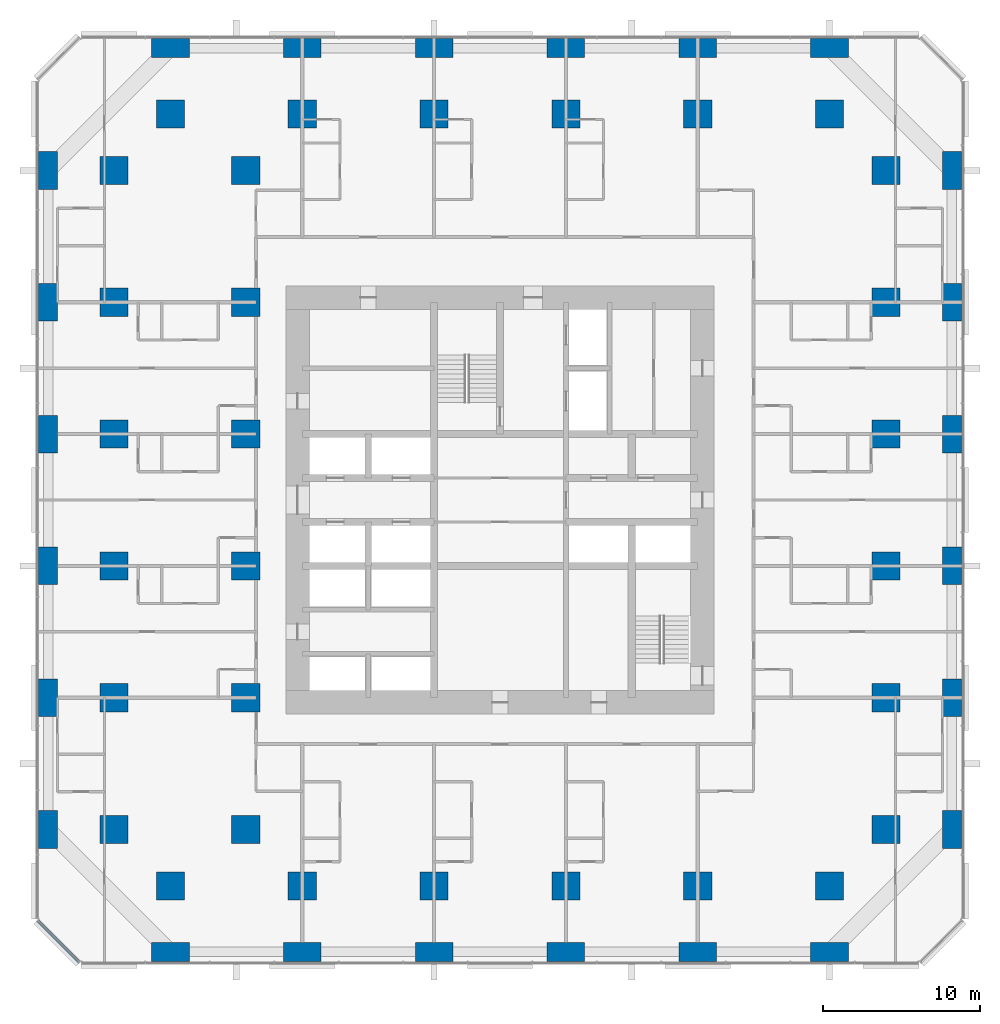
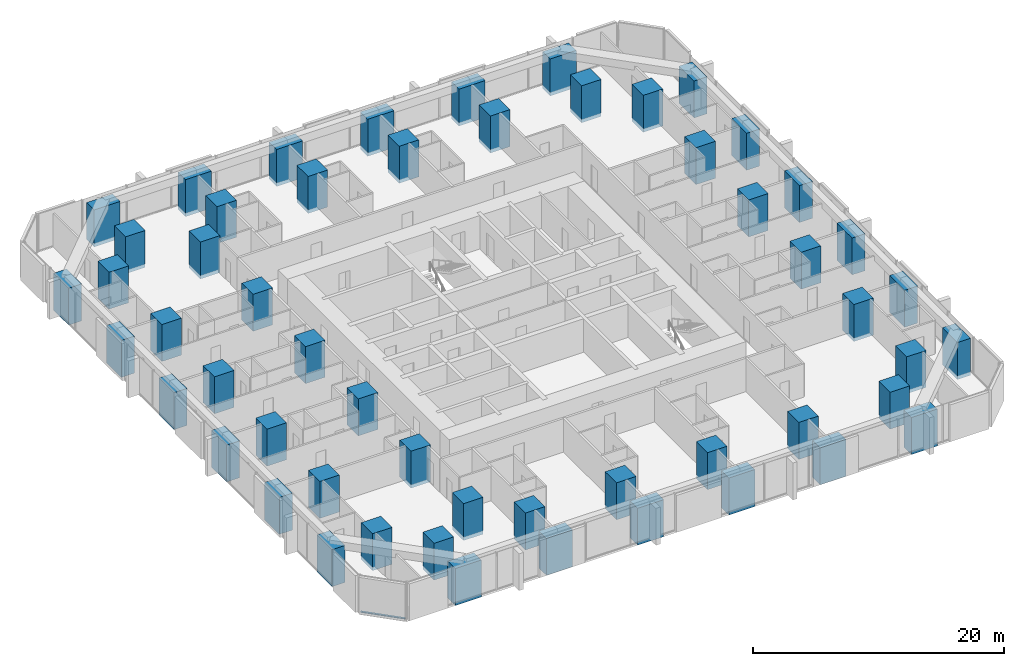
# One storey, part 1 of 17: 54 columns, 1 member, 1 element without a shape of its own.
"""IFC4 building model written with IfcOpenShell, lengths in metres."""

from ifc_helpers import new_model, si_unit, direction, frame, origin, origin_2d, place, context, subcontext, project, spatial, rectangle, extrude, material, material_profile, profile_set, type_object, element, aggregate, save


model = new_model("IFC4")

# Units and contexts
model_context = context("Model", 3, precision=1e-05, world=origin(), true_north=direction((0.0, 1.0)))
body_context = subcontext(model_context, "Body", "Model", "MODEL_VIEW")
ifc_project = project(units=[si_unit("LENGTHUNIT", "METRE"), si_unit("AREAUNIT", "SQUARE_METRE"), si_unit("VOLUMEUNIT", "CUBIC_METRE"), si_unit("PLANEANGLEUNIT", "RADIAN"), si_unit("MASSUNIT", "GRAM", prefix="KILO")], contexts=[model_context])

# Site, building, storey
site_placement = place(None, origin())
site = spatial("IfcSite", under=ifc_project, at=site_placement, CompositionType="ELEMENT")
building_placement = place(site_placement, origin())
building = spatial("IfcBuilding", under=site, at=building_placement, Name="Dunama Terrace Hotel", CompositionType="ELEMENT")
storey_placement = place(building_placement, frame((0.0, 0.0, 59.39990234375)))
storey = spatial("IfcBuildingStorey", under=building, at=storey_placement, Name="L14", CompositionType="ELEMENT", Elevation=59.39990234375)

# Columns
ifc_material_1 = material(Name="Concrete C60/75", Category="concrete")
ifc_material_profile_1 = material_profile(ifc_material_1, rectangle(XDim=1.199951171875, YDim=2.39990234375, at=origin_2d()), Name="RC 1200x2400")
ifc_profile_set_1 = profile_set([ifc_material_profile_1], Name="Concrete C60/75")
column_type_1 = type_object("IfcColumnType", Name="Column RC 1200x2400", PredefinedType="COLUMN", material=ifc_profile_set_1)
for number, where, z_axis, x_axis, name in (
    (1, (0.60009765625, 8.39990234375, -0.349853515625), (0.0, 0.0, 1.0), (1.0, 0.0, 0.0), "Column L14 +0.6/+8.4"),
    (2, (0.60009765625, 16.800048828125, -0.349853515625), (0.0, 0.0, 1.0), (1.0, 0.0, 0.0), "Column L14 +0.6/+16.8"),
    (3, (0.60009765625, 25.199951171875, -0.349853515625), (0.0, 0.0, 1.0), (1.0, 0.0, 0.0), "Column L14 +0.6/+25.2"),
    (4, (0.60009765625, 33.60009765625, -0.349853515625), (0.0, 0.0, 1.0), (1.0, 0.0, 0.0), "Column L14 +0.6/+33.6"),
    (5, (0.60009765625, 42.0, -0.349853515625), (0.0, 0.0, 1.0), (1.0, 0.0, 0.0), "Column L14 +0.6/+42.0"),
    (6, (0.60009765625, 50.39990234375, -0.349853515625), (0.0, 0.0, 1.0), (1.0, 0.0, 0.0), "Column L14 +0.6/+50.4"),
    (7, (58.199951171875, 8.39990234375, -0.349853515625), (0.0, 0.0, 1.0), (1.0, 0.0, 0.0), "Column L14 +58.2/+8.4"),
    (8, (58.199951171875, 16.800048828125, -0.349853515625), (0.0, 0.0, 1.0), (1.0, 0.0, 0.0), "Column L14 +58.2/+16.8"),
    (9, (58.199951171875, 25.199951171875, -0.349853515625), (0.0, 0.0, 1.0), (1.0, 0.0, 0.0), "Column L14 +58.2/+25.2"),
    (10, (58.199951171875, 33.60009765625, -0.349853515625), (0.0, 0.0, 1.0), (1.0, 0.0, 0.0), "Column L14 +58.2/+33.6"),
    (11, (58.199951171875, 42.0, -0.349853515625), (0.0, 0.0, 1.0), (1.0, 0.0, 0.0), "Column L14 +58.2/+42.0"),
    (12, (58.199951171875, 50.39990234375, -0.349853515625), (0.0, 0.0, 1.0), (1.0, 0.0, 0.0), "Column L14 +58.2/+50.4"),
):
    element("IfcColumn", number, at=place(storey_placement, frame(where, z_axis=z_axis, x_axis=x_axis)), inside=storey, type_object=column_type_1, Name=name, PredefinedType="COLUMN", context=body_context, shape_type="SweptSolid", body=[
        extrude(rectangle(XDim=1.199951171875, YDim=2.39990234375, at=origin_2d()), origin(), (0.0, 0.0, 1.0), 3.599853515625),
    ])
ifc_material_2 = material(Name="Concrete C60/75", Category="concrete")
ifc_material_profile_2 = material_profile(ifc_material_2, rectangle(XDim=1.800048828125, YDim=1.800048828125, at=origin_2d()), Name="RC 1800x1800")
ifc_profile_set_2 = profile_set([ifc_material_profile_2], Name="Concrete C60/75")
column_type_2 = type_object("IfcColumnType", Name="Column RC 1800x1800", PredefinedType="COLUMN", material=ifc_profile_set_2)
for number, where, z_axis, x_axis, name in (
    (13, (4.800048828125, 8.39990234375, -0.349853515625), (0.0, 0.0, 1.0), (1.0, 0.0, 0.0), "Column L14 +4.8/+8.4"),
    (14, (4.800048828125, 16.800048828125, -0.349853515625), (0.0, 0.0, 1.0), (1.0, 0.0, 0.0), "Column L14 +4.8/+16.8"),
    (15, (4.800048828125, 25.199951171875, -0.349853515625), (0.0, 0.0, 1.0), (1.0, 0.0, 0.0), "Column L14 +4.8/+25.2"),
    (16, (4.800048828125, 33.60009765625, -0.349853515625), (0.0, 0.0, 1.0), (1.0, 0.0, 0.0), "Column L14 +4.8/+33.6"),
    (17, (4.800048828125, 42.0, -0.349853515625), (0.0, 0.0, 1.0), (1.0, 0.0, 0.0), "Column L14 +4.8/+42.0"),
    (18, (4.800048828125, 50.39990234375, -0.349853515625), (0.0, 0.0, 1.0), (1.0, 0.0, 0.0), "Column L14 +4.8/+50.4"),
    (19, (8.39990234375, 4.800048828125, -0.349853515625), (0.0, 0.0, 1.0), (1.0, 0.0, 0.0), "Column L14 +8.4/+4.8"),
    (20, (8.39990234375, 54.0, -0.349853515625), (0.0, 0.0, 1.0), (1.0, 0.0, 0.0), "Column L14 +8.4/+54.0"),
    (21, (13.199951171875, 8.39990234375, -0.349853515625), (0.0, 0.0, 1.0), (1.0, 0.0, 0.0), "Column L14 +13.2/+8.4"),
    (22, (13.199951171875, 16.800048828125, -0.349853515625), (0.0, 0.0, 1.0), (1.0, 0.0, 0.0), "Column L14 +13.2/+16.8"),
    (23, (13.199951171875, 25.199951171875, -0.349853515625), (0.0, 0.0, 1.0), (1.0, 0.0, 0.0), "Column L14 +13.2/+25.2"),
    (24, (13.199951171875, 33.60009765625, -0.349853515625), (0.0, 0.0, 1.0), (1.0, 0.0, 0.0), "Column L14 +13.2/+33.6"),
    (25, (13.199951171875, 42.0, -0.349853515625), (0.0, 0.0, 1.0), (1.0, 0.0, 0.0), "Column L14 +13.2/+42.0"),
    (26, (13.199951171875, 50.39990234375, -0.349853515625), (0.0, 0.0, 1.0), (1.0, 0.0, 0.0), "Column L14 +13.2/+50.4"),
    (27, (16.800048828125, 4.800048828125, -0.349853515625), (0.0, 0.0, 1.0), (1.0, 0.0, 0.0), "Column L14 +16.8/+4.8"),
    (28, (16.800048828125, 54.0, -0.349853515625), (0.0, 0.0, 1.0), (1.0, 0.0, 0.0), "Column L14 +16.8/+54.0"),
    (29, (25.199951171875, 4.800048828125, -0.349853515625), (0.0, 0.0, 1.0), (1.0, 0.0, 0.0), "Column L14 +25.2/+4.8"),
    (30, (25.199951171875, 54.0, -0.349853515625), (0.0, 0.0, 1.0), (1.0, 0.0, 0.0), "Column L14 +25.2/+54.0"),
    (31, (33.60009765625, 4.800048828125, -0.349853515625), (0.0, 0.0, 1.0), (1.0, 0.0, 0.0), "Column L14 +33.6/+4.8"),
    (32, (33.60009765625, 54.0, -0.349853515625), (0.0, 0.0, 1.0), (1.0, 0.0, 0.0), "Column L14 +33.6/+54.0"),
    (33, (42.0, 4.800048828125, -0.349853515625), (0.0, 0.0, 1.0), (1.0, 0.0, 0.0), "Column L14 +42.0/+4.8"),
    (34, (42.0, 54.0, -0.349853515625), (0.0, 0.0, 1.0), (1.0, 0.0, 0.0), "Column L14 +42.0/+54.0"),
    (35, (50.39990234375, 4.800048828125, -0.349853515625), (0.0, 0.0, 1.0), (1.0, 0.0, 0.0), "Column L14 +50.4/+4.8"),
    (36, (50.39990234375, 54.0, -0.349853515625), (0.0, 0.0, 1.0), (1.0, 0.0, 0.0), "Column L14 +50.4/+54.0"),
    (37, (54.0, 8.39990234375, -0.349853515625), (0.0, 0.0, 1.0), (1.0, 0.0, 0.0), "Column L14 +54.0/+8.4"),
    (38, (54.0, 16.800048828125, -0.349853515625), (0.0, 0.0, 1.0), (1.0, 0.0, 0.0), "Column L14 +54.0/+16.8"),
    (39, (54.0, 25.199951171875, -0.349853515625), (0.0, 0.0, 1.0), (1.0, 0.0, 0.0), "Column L14 +54.0/+25.2"),
    (40, (54.0, 33.60009765625, -0.349853515625), (0.0, 0.0, 1.0), (1.0, 0.0, 0.0), "Column L14 +54.0/+33.6"),
    (41, (54.0, 42.0, -0.349853515625), (0.0, 0.0, 1.0), (1.0, 0.0, 0.0), "Column L14 +54.0/+42.0"),
    (42, (54.0, 50.39990234375, -0.349853515625), (0.0, 0.0, 1.0), (1.0, 0.0, 0.0), "Column L14 +54.0/+50.4"),
):
    element("IfcColumn", number, at=place(storey_placement, frame(where, z_axis=z_axis, x_axis=x_axis)), inside=storey, type_object=column_type_2, Name=name, PredefinedType="COLUMN", context=body_context, shape_type="SweptSolid", body=[
        extrude(rectangle(XDim=1.800048828125, YDim=1.800048828125, at=origin_2d()), origin(), (0.0, 0.0, 1.0), 3.599853515625),
    ])
ifc_material_3 = material(Name="Concrete C60/75", Category="concrete")
ifc_material_profile_3 = material_profile(ifc_material_3, rectangle(XDim=2.39990234375, YDim=1.199951171875, at=origin_2d()), Name="RC 2400x1200")
ifc_profile_set_3 = profile_set([ifc_material_profile_3], Name="Concrete C60/75")
column_type_3 = type_object("IfcColumnType", Name="Column RC 2400x1200", PredefinedType="COLUMN", material=ifc_profile_set_3)
for number, where, z_axis, x_axis, name in (
    (43, (8.39990234375, 0.60009765625, -0.349853515625), (0.0, 0.0, 1.0), (1.0, 0.0, 0.0), "Column L14 +8.4/+0.6"),
    (44, (8.39990234375, 58.199951171875, -0.349853515625), (0.0, 0.0, 1.0), (1.0, 0.0, 0.0), "Column L14 +8.4/+58.2"),
    (45, (16.800048828125, 0.60009765625, -0.349853515625), (0.0, 0.0, 1.0), (1.0, 0.0, 0.0), "Column L14 +16.8/+0.6"),
    (46, (16.800048828125, 58.199951171875, -0.349853515625), (0.0, 0.0, 1.0), (1.0, 0.0, 0.0), "Column L14 +16.8/+58.2"),
    (47, (25.199951171875, 0.60009765625, -0.349853515625), (0.0, 0.0, 1.0), (1.0, 0.0, 0.0), "Column L14 +25.2/+0.6"),
    (48, (25.199951171875, 58.199951171875, -0.349853515625), (0.0, 0.0, 1.0), (1.0, 0.0, 0.0), "Column L14 +25.2/+58.2"),
    (49, (33.60009765625, 0.60009765625, -0.349853515625), (0.0, 0.0, 1.0), (1.0, 0.0, 0.0), "Column L14 +33.6/+0.6"),
    (50, (33.60009765625, 58.199951171875, -0.349853515625), (0.0, 0.0, 1.0), (1.0, 0.0, 0.0), "Column L14 +33.6/+58.2"),
    (51, (42.0, 0.60009765625, -0.349853515625), (0.0, 0.0, 1.0), (1.0, 0.0, 0.0), "Column L14 +42.0/+0.6"),
    (52, (42.0, 58.199951171875, -0.349853515625), (0.0, 0.0, 1.0), (1.0, 0.0, 0.0), "Column L14 +42.0/+58.2"),
    (53, (50.39990234375, 0.60009765625, -0.349853515625), (0.0, 0.0, 1.0), (1.0, 0.0, 0.0), "Column L14 +50.4/+0.6"),
    (54, (50.39990234375, 58.199951171875, -0.349853515625), (0.0, 0.0, 1.0), (1.0, 0.0, 0.0), "Column L14 +50.4/+58.2"),
):
    element("IfcColumn", number, at=place(storey_placement, frame(where, z_axis=z_axis, x_axis=x_axis)), inside=storey, type_object=column_type_3, Name=name, PredefinedType="COLUMN", context=body_context, shape_type="SweptSolid", body=[
        extrude(rectangle(XDim=2.39990234375, YDim=1.199951171875, at=origin_2d()), origin(), (0.0, 0.0, 1.0), 3.599853515625),
    ])

# Curtain wall, member
ifc_material_4 = material(Name="Aluminium curtain wall system", Category="aluminium")
curtain_wall_type = type_object("IfcCurtainWallType", Name="Unitised fritted glass wall CW-A", PredefinedType="NOTDEFINED", material=ifc_material_4)
curtain_wall_placement = place(storey_placement, origin())
curtain_wall = element("IfcCurtainWall", 55, at=curtain_wall_placement, inside=storey, type_object=curtain_wall_type, Name="Unitised fritted glass wall CW-A L14", PredefinedType="NOTDEFINED")
ifc_material_5 = material(Name="Aluminium transom", Category="aluminium")
ifc_material_profile_4 = material_profile(ifc_material_5, rectangle(XDim=0.179931640625, YDim=0.074951171875, at=origin_2d()), Name="CWA TRANSOM 180X75")
ifc_profile_set_4 = profile_set([ifc_material_profile_4], Name="Aluminium transom")
member_type = type_object("IfcMemberType", Name="CWA transom 180x75", PredefinedType="USERDEFINED", material=ifc_profile_set_4)
member_placement = place(storey_placement, frame((-0.02490234375, 2.5830078125, 0.03759765625), z_axis=(0.707106781187, -0.707106781187, 0.0), x_axis=(0.707106781187, 0.707106781187, 0.0)))
member = element("IfcMember", 56, at=member_placement, type_object=member_type, Name="CWA transom", ObjectType="TRANSOM", PredefinedType="USERDEFINED", context=body_context, shape_type="SweptSolid", body=[
    extrude(rectangle(XDim=0.179931640625, YDim=0.074951171875, at=origin_2d()), origin(), (0.0, 0.0, 1.0), 3.688232421875),
])
aggregate(curtain_wall, [member])

save(model, "model.ifc")
